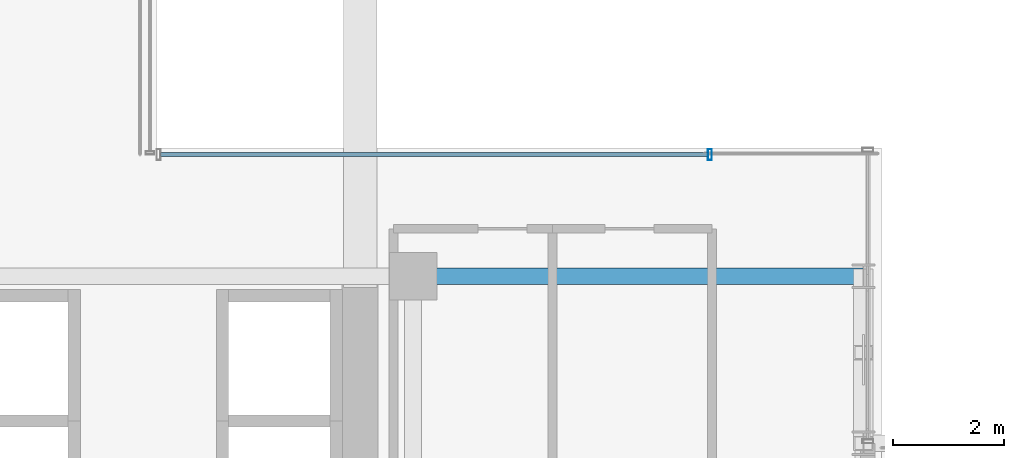
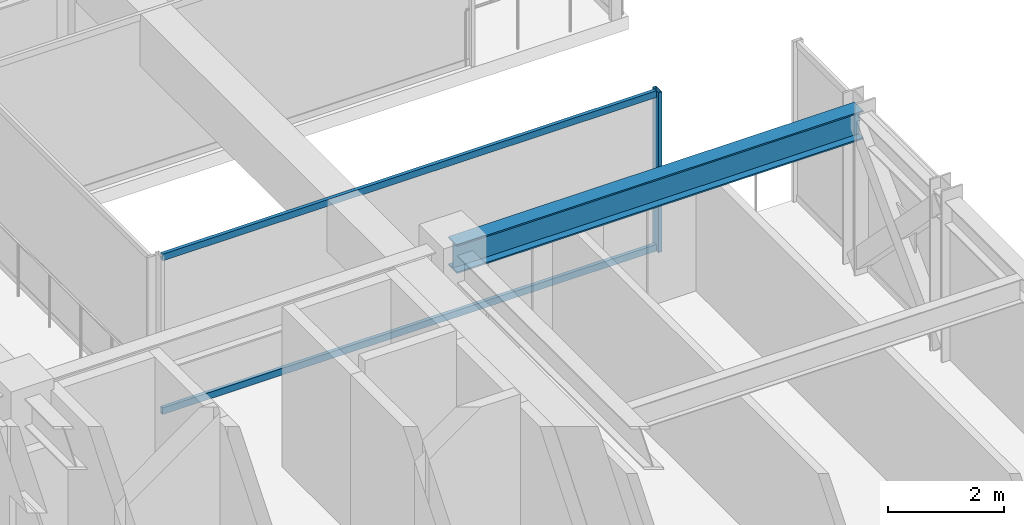
# One storey, part 19 of 41: 3 members, 1 beam, 1 element without a shape of its own.
"""IFC4 building model written with IfcOpenShell, lengths in metres."""

from ifc_helpers import new_model, si_unit, direction, frame, origin, origin_2d, place, context, subcontext, project, spatial, hollow_rectangle, i_section, extrude, source, transform, mapped, material, material_profile, profile_set, type_object, element, aggregate, save


model = new_model("IFC4")

# Units and contexts
model_context = context("Model", 3, precision=1e-05, world=origin(), true_north=direction((0.0, 1.0)))
body_context = subcontext(model_context, "Body", "Model", "MODEL_VIEW")
ifc_project = project(units=[si_unit("LENGTHUNIT", "METRE"), si_unit("AREAUNIT", "SQUARE_METRE"), si_unit("VOLUMEUNIT", "CUBIC_METRE"), si_unit("PLANEANGLEUNIT", "RADIAN"), si_unit("MASSUNIT", "GRAM", prefix="KILO")], contexts=[model_context])

# Site, building, storey
site_placement = place(None, origin())
site = spatial("IfcSite", under=ifc_project, at=site_placement, CompositionType="ELEMENT")
building_placement = place(site_placement, origin())
building = spatial("IfcBuilding", under=site, at=building_placement, Name="Nahalor Promenade Grand Hotel", CompositionType="ELEMENT")
storey_placement = place(building_placement, frame((0.0, 0.0, 54.300048828125)))
storey = spatial("IfcBuildingStorey", under=building, at=storey_placement, Name="L12", CompositionType="ELEMENT", Elevation=54.300048828125)

# Beam
ifc_material_1 = material(Name="Steel S355JR", Category="steel")
ifc_material_profile_1 = material_profile(ifc_material_1, i_section(OverallWidth=0.3, OverallDepth=0.6, WebThickness=0.0155, FlangeThickness=0.03, at=origin_2d()), Name="HEB 600")
ifc_profile_set_1 = profile_set([ifc_material_profile_1], Name="Steel S355JR")
beam_type = type_object("IfcBeamType", Name="Beam-Girder-HEB600", PredefinedType="BEAM", material=ifc_profile_set_1)
shared_shape_1 = source(origin(), body_context, "Body", "SweptSolid", [
    extrude(i_section(OverallWidth=0.3, OverallDepth=0.6, WebThickness=0.0155, FlangeThickness=0.03, at=origin_2d()), origin(), (0.0, 0.0, 1.0), 8.080078125),
])
beam_placement = place(storey_placement, frame((17.0, -5.39990234375, 3.070068359375), z_axis=(1.0, 0.0, 0.0), x_axis=(0.0, 1.0, 0.0)))
element("IfcBeam", 1, at=beam_placement, inside=storey, type_object=beam_type, Name="BM-L12-GX-1-6", PredefinedType="BEAM", context=body_context, shape_type="MappedRepresentation", body=[
    mapped(shared_shape_1, transform((0.0, 0.0, 0.0), scale=1.0)),
])

# Curtain wall, members
ifc_material_2 = material(Name="Anodised Bronze Aluminium EN AW-6063 T6", Category="aluminium")
curtain_wall_type = type_object("IfcCurtainWallType", Name="CW3 Elliptical-Void Collar Unitised Curtain Wall", PredefinedType="USERDEFINED", material=ifc_material_2)
curtain_wall_placement = place(storey_placement, origin())
curtain_wall = element("IfcCurtainWall", 2, at=curtain_wall_placement, inside=storey, type_object=curtain_wall_type, Name="L12 Curtain Wall CW-L12-VOID-ES1", ObjectType="UNITISED_CURTAIN_WALL", PredefinedType="USERDEFINED")
ifc_material_profile_2 = material_profile(ifc_material_2, hollow_rectangle(XDim=0.07, YDim=0.2, WallThickness=0.005, at=origin_2d()), Name="CWM 70x200x5")
ifc_profile_set_2 = profile_set([ifc_material_profile_2], Name="Anodised Bronze Aluminium EN AW-6063 T6")
member_type_1 = type_object("IfcMemberType", Name="CWM3 Void Collar Mullion 70x200", PredefinedType="MULLION", material=ifc_profile_set_2)
shared_shape_2 = source(origin(), body_context, "Body", "SweptSolid", [
    extrude(hollow_rectangle(XDim=0.07, YDim=0.2, WallThickness=0.005, at=origin_2d()), origin(), (0.0, 0.0, 1.0), 3.369873046875),
])
member_1_placement = place(storey_placement, frame((22.324951171875, -3.219970703125, 0.0), z_axis=(0.0, 0.0, 1.0), x_axis=(1.0, 0.0, 0.0)))
member_1 = element("IfcMember", 3, at=member_1_placement, type_object=member_type_1, Name="CW-L12-VOID-ES1 Mullion 1", PredefinedType="MULLION", context=body_context, shape_type="MappedRepresentation", body=[
    mapped(shared_shape_2, transform((0.0, 0.0, 0.0), scale=1.0)),
])
ifc_material_profile_3 = material_profile(ifc_material_2, hollow_rectangle(XDim=0.07, YDim=0.14, WallThickness=0.004, at=origin_2d()), Name="CWT 70x140x4")
ifc_profile_set_3 = profile_set([ifc_material_profile_3], Name="Anodised Bronze Aluminium EN AW-6063 T6")
member_type_2 = type_object("IfcMemberType", Name="CWT3 Void Collar Transom 70x140", PredefinedType="USERDEFINED", material=ifc_profile_set_3)
shared_shape_3 = source(origin(), body_context, "Body", "SweptSolid", [
    extrude(hollow_rectangle(XDim=0.07, YDim=0.14, WallThickness=0.004, at=origin_2d()), origin(), (0.0, 0.0, 1.0), 9.820068359375),
])
member_2_placement = place(storey_placement, frame((12.469970703125, -3.219970703125, 0.070068359375), z_axis=(1.0, 0.0, 0.0), x_axis=(0.0, 1.0, 0.0)))
member_2 = element("IfcMember", 4, at=member_2_placement, type_object=member_type_2, Name="CW-L12-VOID-ES1 Transom 0-0", ObjectType="TRANSOM", PredefinedType="USERDEFINED", context=body_context, shape_type="MappedRepresentation", body=[
    mapped(shared_shape_3, transform((0.0, 0.0, 0.0), scale=1.0)),
])
member_3_placement = place(storey_placement, frame((12.469970703125, -3.219970703125, 3.300048828125), z_axis=(1.0, 0.0, 0.0), x_axis=(0.0, 1.0, 0.0)))
member_3 = element("IfcMember", 5, at=member_3_placement, type_object=member_type_2, Name="CW-L12-VOID-ES1 Transom 0-1", ObjectType="TRANSOM", PredefinedType="USERDEFINED", context=body_context, shape_type="MappedRepresentation", body=[
    mapped(shared_shape_3, transform((0.0, 0.0, 0.0), scale=1.0)),
])
aggregate(curtain_wall, [member_1, member_2, member_3])

save(model, "model.ifc")
